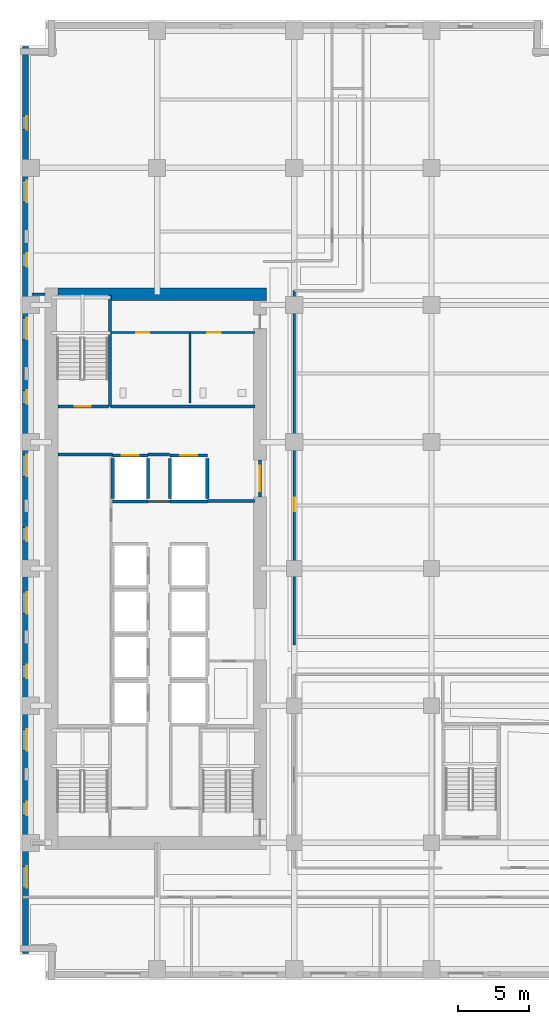
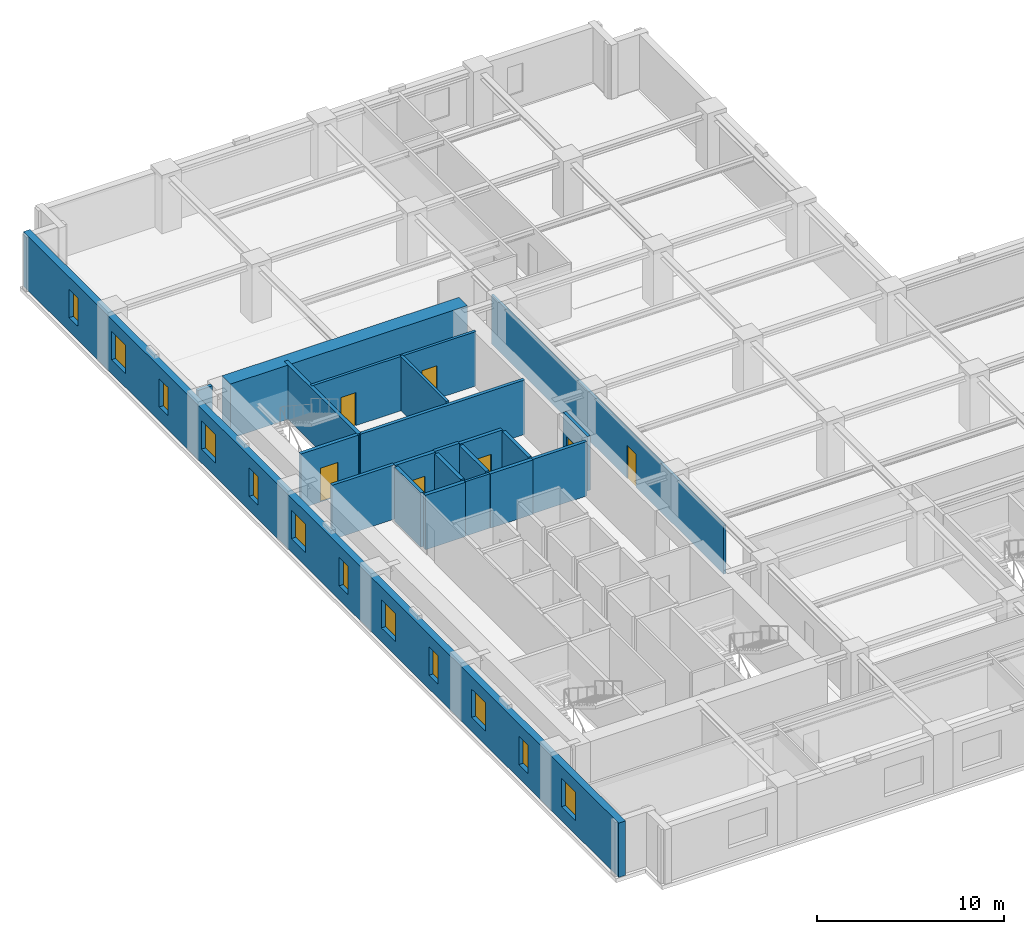
# One storey, part 6 of 13: 22 walls, 12 windows, 7 doors, 19 openings.
"""IFC4 building model written with IfcOpenShell, lengths in metres."""

from ifc_helpers import new_model, si_unit, direction, frame, frame_2d, origin, place, context, subcontext, project, spatial, rectangle, extrude, material, layer, layer_set, type_object, element, fill, save


model = new_model("IFC4")

# Units and contexts
model_context = context("Model", 3, precision=1e-05, world=origin(), true_north=direction((0.0, 1.0)))
body_context = subcontext(model_context, "Body", "Model", "MODEL_VIEW")
ifc_project = project(units=[si_unit("LENGTHUNIT", "METRE"), si_unit("AREAUNIT", "SQUARE_METRE"), si_unit("VOLUMEUNIT", "CUBIC_METRE"), si_unit("PLANEANGLEUNIT", "RADIAN"), si_unit("MASSUNIT", "GRAM", prefix="KILO")], contexts=[model_context])

# Site, building, storey
site_placement = place(None, origin())
site = spatial("IfcSite", under=ifc_project, at=site_placement, CompositionType="ELEMENT")
building_placement = place(site_placement, origin())
building = spatial("IfcBuilding", under=site, at=building_placement, Name="Norrvale University Quadrangle", CompositionType="ELEMENT")
storey_placement = place(building_placement, frame((0.0, 0.0, 43.199951171875)))
storey = spatial("IfcBuildingStorey", under=building, at=storey_placement, Name="L10", CompositionType="ELEMENT", Elevation=43.199951171875)

# Wall, openings, windows
ifc_material_1 = material(Name="Buff Norman Clay Brick Masonry", Category="masonry")
ifc_layer_1 = layer(ifc_material_1, 0.419921875, Name="Buff Norman Clay Brick Masonry")
ifc_layer_set_1 = layer_set([ifc_layer_1], Name="Buff Norman Clay Brick Masonry")
wall_type_1 = type_object("IfcWallType", Name="Wall Buff Brick 420", PredefinedType="SOLIDWALL", material=ifc_layer_set_1)
wall_1_placement = place(storey_placement, frame((0.389892578125, 65.360107421875, 0.0), z_axis=(0.0, 0.0, 1.0), x_axis=(0.0, -1.0, 0.0)))
wall_1 = element("IfcWall", 1, at=wall_1_placement, inside=storey, type_object=wall_type_1, Name="Exterior Brick Facade Wall L10-14.1", PredefinedType="SOLIDWALL", context=body_context, shape_type="SweptSolid", body=[
    extrude(rectangle(XDim=63.52001953125, YDim=0.419921875, at=frame_2d((31.760009765625, 0.0))), origin(), (0.0, 0.0, 1.0), 3.5400390625),
])
opening_1_placement = place(wall_1_placement, frame((4.885009765625, 0.0, 0.89990234375)))
opening_1 = element("IfcOpeningElement", 2, at=opening_1_placement, cuts=wall_1, Name="Opening W04", PredefinedType="OPENING", context=body_context, shape_type="SweptSolid", body=[
    extrude(rectangle(XDim=0.949951171875, YDim=1.85009765625, at=frame_2d((0.47509765625, 0.925048828125))), frame((0.0, 0.221923828125, 0.0), z_axis=(0.0, -1.0, 0.0), x_axis=(1.0, 0.0, 0.0)), (0.0, 0.0, 1.0), 0.44384765625),
])
opening_2_placement = place(wall_1_placement, frame((9.409912109375, 0.0, 0.89990234375)))
opening_2 = element("IfcOpeningElement", 3, at=opening_2_placement, cuts=wall_1, Name="Opening W03", PredefinedType="OPENING", context=body_context, shape_type="SweptSolid", body=[
    extrude(rectangle(XDim=1.5, YDim=1.85009765625, at=frame_2d((0.75, 0.925048828125))), frame((0.0, 0.221923828125, 0.0), z_axis=(0.0, -1.0, 0.0), x_axis=(1.0, 0.0, 0.0)), (0.0, 0.0, 1.0), 0.44384765625),
])
opening_3_placement = place(wall_1_placement, frame((14.485107421875, 0.0, 0.89990234375)))
opening_3 = element("IfcOpeningElement", 4, at=opening_3_placement, cuts=wall_1, Name="Opening W04", PredefinedType="OPENING", context=body_context, shape_type="SweptSolid", body=[
    extrude(rectangle(XDim=0.949951171875, YDim=1.85009765625, at=frame_2d((0.47509765625, 0.925048828125))), frame((0.0, 0.221923828125, 0.0), z_axis=(0.0, -1.0, 0.0), x_axis=(1.0, 0.0, 0.0)), (0.0, 0.0, 1.0), 0.44384765625),
])
opening_4_placement = place(wall_1_placement, frame((19.010009765625, 0.0, 0.89990234375)))
opening_4 = element("IfcOpeningElement", 5, at=opening_4_placement, cuts=wall_1, Name="Opening W03", PredefinedType="OPENING", context=body_context, shape_type="SweptSolid", body=[
    extrude(rectangle(XDim=1.5, YDim=1.85009765625, at=frame_2d((0.75, 0.925048828125))), frame((0.0, 0.221923828125, 0.0), z_axis=(0.0, -1.0, 0.0), x_axis=(1.0, 0.0, 0.0)), (0.0, 0.0, 1.0), 0.44384765625),
])
opening_5_placement = place(wall_1_placement, frame((24.0849609375, 0.0, 0.89990234375)))
opening_5 = element("IfcOpeningElement", 6, at=opening_5_placement, cuts=wall_1, Name="Opening W04", PredefinedType="OPENING", context=body_context, shape_type="SweptSolid", body=[
    extrude(rectangle(XDim=0.949951171875, YDim=1.85009765625, at=frame_2d((0.47509765625, 0.925048828125))), frame((0.0, 0.221923828125, 0.0), z_axis=(0.0, -1.0, 0.0), x_axis=(1.0, 0.0, 0.0)), (0.0, 0.0, 1.0), 0.44384765625),
])
opening_6_placement = place(wall_1_placement, frame((28.610107421875, 0.0, 0.89990234375)))
opening_6 = element("IfcOpeningElement", 7, at=opening_6_placement, cuts=wall_1, Name="Opening W03", PredefinedType="OPENING", context=body_context, shape_type="SweptSolid", body=[
    extrude(rectangle(XDim=1.5, YDim=1.85009765625, at=frame_2d((0.75, 0.925048828125))), frame((0.0, 0.221923828125, 0.0), z_axis=(0.0, -1.0, 0.0), x_axis=(1.0, 0.0, 0.0)), (0.0, 0.0, 1.0), 0.44384765625),
])
opening_7_placement = place(wall_1_placement, frame((33.68505859375, 0.0, 0.89990234375)))
opening_7 = element("IfcOpeningElement", 8, at=opening_7_placement, cuts=wall_1, Name="Opening W04", PredefinedType="OPENING", context=body_context, shape_type="SweptSolid", body=[
    extrude(rectangle(XDim=0.949951171875, YDim=1.85009765625, at=frame_2d((0.47509765625, 0.925048828125))), frame((0.0, 0.221923828125, 0.0), z_axis=(0.0, -1.0, 0.0), x_axis=(1.0, 0.0, 0.0)), (0.0, 0.0, 1.0), 0.44384765625),
])
opening_8_placement = place(wall_1_placement, frame((38.2099609375, 0.0, 0.89990234375)))
opening_8 = element("IfcOpeningElement", 9, at=opening_8_placement, cuts=wall_1, Name="Opening W03", PredefinedType="OPENING", context=body_context, shape_type="SweptSolid", body=[
    extrude(rectangle(XDim=1.5, YDim=1.85009765625, at=frame_2d((0.75, 0.925048828125))), frame((0.0, 0.221923828125, 0.0), z_axis=(0.0, -1.0, 0.0), x_axis=(1.0, 0.0, 0.0)), (0.0, 0.0, 1.0), 0.44384765625),
])
opening_9_placement = place(wall_1_placement, frame((43.284912109375, 0.0, 0.89990234375)))
opening_9 = element("IfcOpeningElement", 10, at=opening_9_placement, cuts=wall_1, Name="Opening W04", PredefinedType="OPENING", context=body_context, shape_type="SweptSolid", body=[
    extrude(rectangle(XDim=0.949951171875, YDim=1.85009765625, at=frame_2d((0.47509765625, 0.925048828125))), frame((0.0, 0.221923828125, 0.0), z_axis=(0.0, -1.0, 0.0), x_axis=(1.0, 0.0, 0.0)), (0.0, 0.0, 1.0), 0.44384765625),
])
opening_10_placement = place(wall_1_placement, frame((47.81005859375, 0.0, 0.89990234375)))
opening_10 = element("IfcOpeningElement", 11, at=opening_10_placement, cuts=wall_1, Name="Opening W03", PredefinedType="OPENING", context=body_context, shape_type="SweptSolid", body=[
    extrude(rectangle(XDim=1.5, YDim=1.85009765625, at=frame_2d((0.75, 0.925048828125))), frame((0.0, 0.221923828125, 0.0), z_axis=(0.0, -1.0, 0.0), x_axis=(1.0, 0.0, 0.0)), (0.0, 0.0, 1.0), 0.44384765625),
])
opening_11_placement = place(wall_1_placement, frame((52.885009765625, 0.0, 0.89990234375)))
opening_11 = element("IfcOpeningElement", 12, at=opening_11_placement, cuts=wall_1, Name="Opening W04", PredefinedType="OPENING", context=body_context, shape_type="SweptSolid", body=[
    extrude(rectangle(XDim=0.949951171875, YDim=1.85009765625, at=frame_2d((0.47509765625, 0.925048828125))), frame((0.0, 0.221923828125, 0.0), z_axis=(0.0, -1.0, 0.0), x_axis=(1.0, 0.0, 0.0)), (0.0, 0.0, 1.0), 0.44384765625),
])
opening_12_placement = place(wall_1_placement, frame((57.409912109375, 0.0, 0.89990234375)))
opening_12 = element("IfcOpeningElement", 13, at=opening_12_placement, cuts=wall_1, Name="Opening W03", PredefinedType="OPENING", context=body_context, shape_type="SweptSolid", body=[
    extrude(rectangle(XDim=1.5, YDim=1.85009765625, at=frame_2d((0.75, 0.925048828125))), frame((0.0, 0.221923828125, 0.0), z_axis=(0.0, -1.0, 0.0), x_axis=(1.0, 0.0, 0.0)), (0.0, 0.0, 1.0), 0.44384765625),
])
ifc_material_2 = material(Name="Triple Low-E Argon Glazing", Category="glass")
window_type_1 = type_object("IfcWindowType", Name="Window Narrow Pier 950x2300", PartitioningType="SINGLE_PANEL", PredefinedType="WINDOW", material=ifc_material_2)
window_1_placement = place(opening_1_placement, origin())
window_1 = element("IfcWindow", 14, at=window_1_placement, inside=storey, type_object=window_type_1, Name="Window Narrow Pier 950x2300 WIN-L10-E14-1-01", OverallHeight=1.85009765625, OverallWidth=0.949951171875, PartitioningType="SINGLE_PANEL", PredefinedType="WINDOW", context=body_context, shape_type="SweptSolid", body=[
    extrude(rectangle(XDim=0.949951171875, YDim=1.85009765625, at=frame_2d((0.47509765625, 0.925048828125))), frame((0.0, 0.110107421875, 0.0), z_axis=(0.0, -1.0, 0.0), x_axis=(1.0, 0.0, 0.0)), (0.0, 0.0, 1.0), 0.06005859375),
])
fill(opening_1, window_1)
window_2_placement = place(opening_3_placement, origin())
window_2 = element("IfcWindow", 15, at=window_2_placement, inside=storey, type_object=window_type_1, Name="Window Narrow Pier 950x2300 WIN-L10-E14-1-03", OverallHeight=1.85009765625, OverallWidth=0.949951171875, PartitioningType="SINGLE_PANEL", PredefinedType="WINDOW", context=body_context, shape_type="SweptSolid", body=[
    extrude(rectangle(XDim=0.949951171875, YDim=1.85009765625, at=frame_2d((0.47509765625, 0.925048828125))), frame((0.0, 0.110107421875, 0.0), z_axis=(0.0, -1.0, 0.0), x_axis=(1.0, 0.0, 0.0)), (0.0, 0.0, 1.0), 0.06005859375),
])
fill(opening_3, window_2)
window_3_placement = place(opening_5_placement, origin())
window_3 = element("IfcWindow", 16, at=window_3_placement, inside=storey, type_object=window_type_1, Name="Window Narrow Pier 950x2300 WIN-L10-E14-1-05", OverallHeight=1.85009765625, OverallWidth=0.949951171875, PartitioningType="SINGLE_PANEL", PredefinedType="WINDOW", context=body_context, shape_type="SweptSolid", body=[
    extrude(rectangle(XDim=0.949951171875, YDim=1.85009765625, at=frame_2d((0.47509765625, 0.925048828125))), frame((0.0, 0.110107421875, 0.0), z_axis=(0.0, -1.0, 0.0), x_axis=(1.0, 0.0, 0.0)), (0.0, 0.0, 1.0), 0.06005859375),
])
fill(opening_5, window_3)
window_4_placement = place(opening_7_placement, origin())
window_4 = element("IfcWindow", 17, at=window_4_placement, inside=storey, type_object=window_type_1, Name="Window Narrow Pier 950x2300 WIN-L10-E14-1-07", OverallHeight=1.85009765625, OverallWidth=0.949951171875, PartitioningType="SINGLE_PANEL", PredefinedType="WINDOW", context=body_context, shape_type="SweptSolid", body=[
    extrude(rectangle(XDim=0.949951171875, YDim=1.85009765625, at=frame_2d((0.47509765625, 0.925048828125))), frame((0.0, 0.110107421875, 0.0), z_axis=(0.0, -1.0, 0.0), x_axis=(1.0, 0.0, 0.0)), (0.0, 0.0, 1.0), 0.06005859375),
])
fill(opening_7, window_4)
window_5_placement = place(opening_9_placement, origin())
window_5 = element("IfcWindow", 18, at=window_5_placement, inside=storey, type_object=window_type_1, Name="Window Narrow Pier 950x2300 WIN-L10-E14-1-09", OverallHeight=1.85009765625, OverallWidth=0.949951171875, PartitioningType="SINGLE_PANEL", PredefinedType="WINDOW", context=body_context, shape_type="SweptSolid", body=[
    extrude(rectangle(XDim=0.949951171875, YDim=1.85009765625, at=frame_2d((0.47509765625, 0.925048828125))), frame((0.0, 0.110107421875, 0.0), z_axis=(0.0, -1.0, 0.0), x_axis=(1.0, 0.0, 0.0)), (0.0, 0.0, 1.0), 0.06005859375),
])
fill(opening_9, window_5)
window_6_placement = place(opening_11_placement, origin())
window_6 = element("IfcWindow", 19, at=window_6_placement, inside=storey, type_object=window_type_1, Name="Window Narrow Pier 950x2300 WIN-L10-E14-1-11", OverallHeight=1.85009765625, OverallWidth=0.949951171875, PartitioningType="SINGLE_PANEL", PredefinedType="WINDOW", context=body_context, shape_type="SweptSolid", body=[
    extrude(rectangle(XDim=0.949951171875, YDim=1.85009765625, at=frame_2d((0.47509765625, 0.925048828125))), frame((0.0, 0.110107421875, 0.0), z_axis=(0.0, -1.0, 0.0), x_axis=(1.0, 0.0, 0.0)), (0.0, 0.0, 1.0), 0.06005859375),
])
fill(opening_11, window_6)
window_type_2 = type_object("IfcWindowType", Name="Window Studio 1500x2300", PartitioningType="DOUBLE_PANEL_VERTICAL", PredefinedType="WINDOW", material=ifc_material_2)
window_7_placement = place(opening_2_placement, origin())
window_7 = element("IfcWindow", 20, at=window_7_placement, inside=storey, type_object=window_type_2, Name="Window Studio 1500x2300 WIN-L10-E14-1-02", OverallHeight=1.85009765625, OverallWidth=1.5, PartitioningType="DOUBLE_PANEL_VERTICAL", PredefinedType="WINDOW", context=body_context, shape_type="SweptSolid", body=[
    extrude(rectangle(XDim=1.5, YDim=1.85009765625, at=frame_2d((0.75, 0.925048828125))), frame((0.0, 0.110107421875, 0.0), z_axis=(0.0, -1.0, 0.0), x_axis=(1.0, 0.0, 0.0)), (0.0, 0.0, 1.0), 0.06005859375),
])
fill(opening_2, window_7)
window_8_placement = place(opening_4_placement, origin())
window_8 = element("IfcWindow", 21, at=window_8_placement, inside=storey, type_object=window_type_2, Name="Window Studio 1500x2300 WIN-L10-E14-1-04", OverallHeight=1.85009765625, OverallWidth=1.5, PartitioningType="DOUBLE_PANEL_VERTICAL", PredefinedType="WINDOW", context=body_context, shape_type="SweptSolid", body=[
    extrude(rectangle(XDim=1.5, YDim=1.85009765625, at=frame_2d((0.75, 0.925048828125))), frame((0.0, 0.110107421875, 0.0), z_axis=(0.0, -1.0, 0.0), x_axis=(1.0, 0.0, 0.0)), (0.0, 0.0, 1.0), 0.06005859375),
])
fill(opening_4, window_8)
window_9_placement = place(opening_6_placement, origin())
window_9 = element("IfcWindow", 22, at=window_9_placement, inside=storey, type_object=window_type_2, Name="Window Studio 1500x2300 WIN-L10-E14-1-06", OverallHeight=1.85009765625, OverallWidth=1.5, PartitioningType="DOUBLE_PANEL_VERTICAL", PredefinedType="WINDOW", context=body_context, shape_type="SweptSolid", body=[
    extrude(rectangle(XDim=1.5, YDim=1.85009765625, at=frame_2d((0.75, 0.925048828125))), frame((0.0, 0.110107421875, 0.0), z_axis=(0.0, -1.0, 0.0), x_axis=(1.0, 0.0, 0.0)), (0.0, 0.0, 1.0), 0.06005859375),
])
fill(opening_6, window_9)
window_10_placement = place(opening_8_placement, origin())
window_10 = element("IfcWindow", 23, at=window_10_placement, inside=storey, type_object=window_type_2, Name="Window Studio 1500x2300 WIN-L10-E14-1-08", OverallHeight=1.85009765625, OverallWidth=1.5, PartitioningType="DOUBLE_PANEL_VERTICAL", PredefinedType="WINDOW", context=body_context, shape_type="SweptSolid", body=[
    extrude(rectangle(XDim=1.5, YDim=1.85009765625, at=frame_2d((0.75, 0.925048828125))), frame((0.0, 0.110107421875, 0.0), z_axis=(0.0, -1.0, 0.0), x_axis=(1.0, 0.0, 0.0)), (0.0, 0.0, 1.0), 0.06005859375),
])
fill(opening_8, window_10)
window_11_placement = place(opening_10_placement, origin())
window_11 = element("IfcWindow", 24, at=window_11_placement, inside=storey, type_object=window_type_2, Name="Window Studio 1500x2300 WIN-L10-E14-1-10", OverallHeight=1.85009765625, OverallWidth=1.5, PartitioningType="DOUBLE_PANEL_VERTICAL", PredefinedType="WINDOW", context=body_context, shape_type="SweptSolid", body=[
    extrude(rectangle(XDim=1.5, YDim=1.85009765625, at=frame_2d((0.75, 0.925048828125))), frame((0.0, 0.110107421875, 0.0), z_axis=(0.0, -1.0, 0.0), x_axis=(1.0, 0.0, 0.0)), (0.0, 0.0, 1.0), 0.06005859375),
])
fill(opening_10, window_11)
window_12_placement = place(opening_12_placement, origin())
window_12 = element("IfcWindow", 25, at=window_12_placement, inside=storey, type_object=window_type_2, Name="Window Studio 1500x2300 WIN-L10-E14-1-12", OverallHeight=1.85009765625, OverallWidth=1.5, PartitioningType="DOUBLE_PANEL_VERTICAL", PredefinedType="WINDOW", context=body_context, shape_type="SweptSolid", body=[
    extrude(rectangle(XDim=1.5, YDim=1.85009765625, at=frame_2d((0.75, 0.925048828125))), frame((0.0, 0.110107421875, 0.0), z_axis=(0.0, -1.0, 0.0), x_axis=(1.0, 0.0, 0.0)), (0.0, 0.0, 1.0), 0.06005859375),
])
fill(opening_12, window_12)

# Walls
ifc_material_3 = material(Name="Concrete C80/95", Category="concrete")
ifc_layer_2 = layer(ifc_material_3, 0.89990234375, Name="Concrete C80/95")
ifc_layer_set_2 = layer_set([ifc_layer_2], Name="Concrete C80/95")
wall_type_2 = type_object("IfcWallType", Name="Wall Core 900", PredefinedType="SHEAR", material=ifc_layer_set_2)
wall_2_placement = place(storey_placement, frame((2.64990234375, 48.0, 0.0), z_axis=(0.0, 0.0, 1.0), x_axis=(1.0, 0.0, 0.0)))
element("IfcWall", 26, at=wall_2_placement, inside=storey, type_object=wall_type_2, Name="Tower Core Shear Wall L10-N", PredefinedType="SHEAR", context=body_context, shape_type="SweptSolid", body=[
    extrude(rectangle(XDim=14.60009765625, YDim=0.89990234375, at=frame_2d((7.300048828125, 0.0))), origin(), (0.0, 0.0, 1.0), 3.5400390625),
])
ifc_material_4 = material(Name="Fire-Rated Gypsum Stud Partition")
ifc_layer_3 = layer(ifc_material_4, 0.14990234375, Name="Fire-Rated Gypsum Stud Partition")
ifc_layer_set_3 = layer_set([ifc_layer_3], Name="Fire-Rated Gypsum Stud Partition")
wall_type_3 = type_object("IfcWallType", Name="Wall Gypsum Corridor 150", PredefinedType="PARTITIONING", material=ifc_layer_set_3)
wall_3_placement = place(storey_placement, frame((8.965087890625, 33.489990234375, 0.0), z_axis=(0.0, 0.0, 1.0), x_axis=(1.0, 0.0, 0.0)))
element("IfcWall", 27, at=wall_3_placement, inside=storey, type_object=wall_type_3, Name="Interior Partition WL-L10-LL3", PredefinedType="PARTITIONING", context=body_context, shape_type="SweptSolid", body=[
    extrude(rectangle(XDim=1.52001953125, YDim=0.14990234375, at=frame_2d((0.760009765625, 0.0))), origin(), (0.0, 0.0, 1.0), 3.5400390625),
])

# Wall, opening, door
wall_4_placement = place(storey_placement, frame((19.199951171875, 23.449951171875, 0.0), z_axis=(0.0, 0.0, 1.0), x_axis=(0.0, 1.0, 0.0)))
wall_4 = element("IfcWall", 28, at=wall_4_placement, inside=storey, type_object=wall_type_3, Name="Interior Partition WL-L10-MNECW", PredefinedType="PARTITIONING", context=body_context, shape_type="SweptSolid", body=[
    extrude(rectangle(XDim=24.800048828125, YDim=0.14990234375, at=frame_2d((12.39990234375, 0.0))), origin(), (0.0, 0.0, 1.0), 3.18408203125),
])
opening_13_placement = place(wall_4_placement, frame((9.35009765625, 0.0, 0.0)))
opening_13 = element("IfcOpeningElement", 29, at=opening_13_placement, cuts=wall_4, Name="Opening D07", PredefinedType="OPENING", context=body_context, shape_type="SweptSolid", body=[
    extrude(rectangle(XDim=0.949951171875, YDim=2.14990234375, at=frame_2d((0.47509765625, 1.074951171875))), frame((0.0, 0.0869140625, 0.0), z_axis=(0.0, -1.0, 0.0), x_axis=(1.0, 0.0, 0.0)), (0.0, 0.0, 1.0), 0.173828125),
])
ifc_material_5 = material(Name="Solid-Core Maple Door", Category="wood")
door_type_1 = type_object("IfcDoorType", Name="Door Office 950x2150", OperationType="NOTDEFINED", PredefinedType="DOOR", material=ifc_material_5)
door_1_placement = place(opening_13_placement, origin())
door_1 = element("IfcDoor", 30, at=door_1_placement, inside=storey, type_object=door_type_1, Name="Door Office 950x2150 DR-L10-MNE01", OperationType="SINGLE_SWING_RIGHT", OverallHeight=2.14990234375, OverallWidth=0.949951171875, PredefinedType="DOOR", context=body_context, shape_type="SweptSolid", body=[
    extrude(rectangle(XDim=0.949951171875, YDim=2.14990234375, at=frame_2d((0.47509765625, 1.074951171875))), frame((0.0, 0.02490234375, 0.0), z_axis=(0.0, -1.0, 0.0), x_axis=(1.0, 0.0, 0.0)), (0.0, 0.0, 1.0), 0.050048828125),
])
fill(opening_13, door_1)

# Wall, openings, doors
ifc_material_6 = material(Name="Sanitary Chase Gypsum Partition")
ifc_layer_4 = layer(ifc_material_6, 0.1650390625, Name="Sanitary Chase Gypsum Partition")
ifc_layer_set_4 = layer_set([ifc_layer_4], Name="Sanitary Chase Gypsum Partition")
wall_type_4 = type_object("IfcWallType", Name="Wall Gypsum Sanitary 165", PredefinedType="PLUMBINGWALL", material=ifc_layer_set_4)
wall_5_placement = place(storey_placement, frame((6.320068359375, 45.320068359375, 0.0), z_axis=(0.0, 0.0, 1.0), x_axis=(1.0, 0.0, 0.0)))
wall_5 = element("IfcWall", 31, at=wall_5_placement, inside=storey, type_object=wall_type_4, Name="Interior Partition WL-L10-WCN", PredefinedType="PLUMBINGWALL", context=body_context, shape_type="SweptSolid", body=[
    extrude(rectangle(XDim=10.1298828125, YDim=0.1650390625, at=frame_2d((5.06494140625, 0.0))), origin(), (0.0, 0.0, 1.0), 3.5400390625),
])
opening_14_placement = place(wall_5_placement, frame((1.800048828125, 0.0, 0.0)))
opening_14 = element("IfcOpeningElement", 32, at=opening_14_placement, cuts=wall_5, Name="Opening D08", PredefinedType="OPENING", context=body_context, shape_type="SweptSolid", body=[
    extrude(rectangle(XDim=0.919921875, YDim=2.14990234375, at=frame_2d((0.4599609375, 1.074951171875))), frame((0.0, 0.094482421875, 0.0), z_axis=(0.0, -1.0, 0.0), x_axis=(1.0, 0.0, 0.0)), (0.0, 0.0, 1.0), 0.18896484375),
])
opening_15_placement = place(wall_5_placement, frame((6.800048828125, 0.0, 0.0)))
opening_15 = element("IfcOpeningElement", 33, at=opening_15_placement, cuts=wall_5, Name="Opening D08", PredefinedType="OPENING", context=body_context, shape_type="SweptSolid", body=[
    extrude(rectangle(XDim=0.919921875, YDim=2.14990234375, at=frame_2d((0.4599609375, 1.074951171875))), frame((0.0, 0.094482421875, 0.0), z_axis=(0.0, -1.0, 0.0), x_axis=(1.0, 0.0, 0.0)), (0.0, 0.0, 1.0), 0.18896484375),
])
ifc_material_7 = material(Name="Laminate Washroom Door", Category="wood")
door_type_2 = type_object("IfcDoorType", Name="Door Washroom 920x2150", OperationType="NOTDEFINED", PredefinedType="DOOR", material=ifc_material_7)
door_2_placement = place(opening_14_placement, origin())
door_2 = element("IfcDoor", 34, at=door_2_placement, inside=storey, type_object=door_type_2, Name="Door Washroom 920x2150 DR-L10-WC1", OperationType="SINGLE_SWING_LEFT", OverallHeight=2.14990234375, OverallWidth=0.919921875, PredefinedType="DOOR", context=body_context, shape_type="SweptSolid", body=[
    extrude(rectangle(XDim=0.919921875, YDim=2.14990234375, at=frame_2d((0.4599609375, 1.074951171875))), frame((0.0, 0.02490234375, 0.0), z_axis=(0.0, -1.0, 0.0), x_axis=(1.0, 0.0, 0.0)), (0.0, 0.0, 1.0), 0.050048828125),
])
fill(opening_14, door_2)
door_3_placement = place(opening_15_placement, origin())
door_3 = element("IfcDoor", 35, at=door_3_placement, inside=storey, type_object=door_type_2, Name="Door Washroom 920x2150 DR-L10-WC2", OperationType="SINGLE_SWING_RIGHT", OverallHeight=2.14990234375, OverallWidth=0.919921875, PredefinedType="DOOR", context=body_context, shape_type="SweptSolid", body=[
    extrude(rectangle(XDim=0.919921875, YDim=2.14990234375, at=frame_2d((0.4599609375, 1.074951171875))), frame((0.0, 0.02490234375, 0.0), z_axis=(0.0, -1.0, 0.0), x_axis=(1.0, 0.0, 0.0)), (0.0, 0.0, 1.0), 0.050048828125),
])
fill(opening_15, door_3)

# Walls
wall_6_placement = place(storey_placement, frame((11.89990234375, 40.39990234375, 0.0), z_axis=(0.0, 0.0, 1.0), x_axis=(0.0, 1.0, 0.0)))
element("IfcWall", 36, at=wall_6_placement, inside=storey, type_object=wall_type_4, Name="Interior Partition WL-L10-WCM1", PredefinedType="PLUMBINGWALL", context=body_context, shape_type="SweptSolid", body=[
    extrude(rectangle(XDim=4.920166015625, YDim=0.1650390625, at=frame_2d((2.4599609375, 0.0))), origin(), (0.0, 0.0, 1.0), 3.5400390625),
])
ifc_material_8 = material(Name="Concrete Blockwork 20 MPa Rated Wall", Category="masonry")
ifc_layer_5 = layer(ifc_material_8, 0.199951171875, Name="Concrete Blockwork 20 MPa Rated Wall")
ifc_layer_set_5 = layer_set([ifc_layer_5], Name="Concrete Blockwork 20 MPa Rated Wall")
wall_type_5 = type_object("IfcWallType", Name="Wall Lobby 200", PredefinedType="SOLIDWALL", material=ifc_layer_set_5)
wall_7_placement = place(storey_placement, frame((2.64990234375, 36.780029296875, 0.0), z_axis=(0.0, 0.0, 1.0), x_axis=(1.0, 0.0, 0.0)))
element("IfcWall", 37, at=wall_7_placement, inside=storey, type_object=wall_type_5, Name="Interior Partition WL-L10-FF1", PredefinedType="SOLIDWALL", context=body_context, shape_type="SweptSolid", body=[
    extrude(rectangle(XDim=3.830078125, YDim=0.199951171875, at=frame_2d((1.9150390625, 0.0))), origin(), (0.0, 0.0, 1.0), 3.5400390625),
])
wall_8_placement = place(storey_placement, frame((8.969970703125, 36.780029296875, 0.0), z_axis=(0.0, 0.0, 1.0), x_axis=(1.0, 0.0, 0.0)))
element("IfcWall", 38, at=wall_8_placement, inside=storey, type_object=wall_type_5, Name="Interior Partition WL-L10-FF2", PredefinedType="SOLIDWALL", context=body_context, shape_type="SweptSolid", body=[
    extrude(rectangle(XDim=1.510009765625, YDim=0.199951171875, at=frame_2d((0.7548828125, 0.0))), origin(), (0.0, 0.0, 1.0), 3.5400390625),
])
wall_9_placement = place(storey_placement, frame((13.1201171875, 33.52001953125, 0.0), z_axis=(0.0, 0.0, 1.0), x_axis=(1.0, 0.0, 0.0)))
element("IfcWall", 39, at=wall_9_placement, inside=storey, type_object=wall_type_5, Name="Interior Partition WL-L10-FF3", PredefinedType="SOLIDWALL", context=body_context, shape_type="SweptSolid", body=[
    extrude(rectangle(XDim=3.329833984375, YDim=0.199951171875, at=frame_2d((1.6650390625, 0.0))), origin(), (0.0, 0.0, 1.0), 3.5400390625),
])
wall_10_placement = place(storey_placement, frame((6.320068359375, 40.139892578125, 0.0), z_axis=(0.0, 0.0, 1.0), x_axis=(1.0, 0.0, 0.0)))
element("IfcWall", 40, at=wall_10_placement, inside=storey, type_object=wall_type_5, Name="Interior Partition WL-L10-FF4", PredefinedType="SOLIDWALL", context=body_context, shape_type="SweptSolid", body=[
    extrude(rectangle(XDim=10.1298828125, YDim=0.199951171875, at=frame_2d((5.06494140625, 0.0))), origin(), (0.0, 0.0, 1.0), 3.5400390625),
])

# Wall, opening, door
wall_11_placement = place(storey_placement, frame((16.800048828125, 33.800048828125, 0.0), z_axis=(0.0, 0.0, 1.0), x_axis=(0.0, 1.0, 0.0)))
wall_11 = element("IfcWall", 41, at=wall_11_placement, inside=storey, type_object=wall_type_5, Name="Interior Partition WL-L10-FFP", PredefinedType="SOLIDWALL", context=body_context, shape_type="SweptSolid", body=[
    extrude(rectangle(XDim=2.599853515625, YDim=0.199951171875, at=frame_2d((1.2998046875, 0.0))), origin(), (0.0, 0.0, 1.0), 3.5400390625),
])
opening_16_placement = place(wall_11_placement, frame((0.39990234375, 0.0, 0.0)))
opening_16 = element("IfcOpeningElement", 42, at=opening_16_placement, cuts=wall_11, Name="Opening D03", PredefinedType="OPENING", context=body_context, shape_type="SweptSolid", body=[
    extrude(rectangle(XDim=1.800048828125, YDim=2.199951171875, at=frame_2d((0.89990234375, 1.10009765625))), frame((0.0, 0.112060546875, 0.0), z_axis=(0.0, -1.0, 0.0), x_axis=(1.0, 0.0, 0.0)), (0.0, 0.0, 1.0), 0.223876953125),
])
ifc_material_9 = material(Name="Hollow Steel 350W Fire Door", Category="steel")
door_type_3 = type_object("IfcDoorType", Name="Door Fire Lobby 1800x2200", OperationType="DOUBLE_DOOR_SINGLE_SWING", PredefinedType="DOOR", material=ifc_material_9)
door_4_placement = place(opening_16_placement, origin())
door_4 = element("IfcDoor", 43, at=door_4_placement, inside=storey, type_object=door_type_3, Name="Door Fire Lobby 1800x2200 DR-L10-FFP", OperationType="DOUBLE_DOOR_SINGLE_SWING", OverallHeight=2.199951171875, OverallWidth=1.800048828125, PredefinedType="DOOR", context=body_context, shape_type="SweptSolid", body=[
    extrude(rectangle(XDim=1.800048828125, YDim=2.199951171875, at=frame_2d((0.89990234375, 1.10009765625))), frame((0.0, 0.02490234375, 0.0), z_axis=(0.0, -1.0, 0.0), x_axis=(1.0, 0.0, 0.0)), (0.0, 0.0, 1.0), 0.050048828125),
])
fill(opening_16, door_4)

# Wall
wall_12_placement = place(storey_placement, frame((0.85009765625, 48.0, 0.0), z_axis=(0.0, 0.0, 1.0), x_axis=(1.0, 0.0, 0.0)))
element("IfcWall", 44, at=wall_12_placement, inside=storey, type_object=wall_type_5, Name="Interior Partition WL-L10-CWRET-N", PredefinedType="SOLIDWALL", context=body_context, shape_type="SweptSolid", body=[
    extrude(rectangle(XDim=0.89501953125, YDim=0.199951171875, at=frame_2d((0.447509765625, 0.0))), origin(), (0.0, 0.0, 1.0), 3.5400390625),
])

# Wall, opening, door
ifc_material_10 = material(Name="Concrete Blockwork 20 MPa Fire Shaft", Category="masonry")
ifc_layer_6 = layer(ifc_material_10, 0.219970703125, Name="Concrete Blockwork 20 MPa Fire Shaft")
ifc_layer_set_6 = layer_set([ifc_layer_6], Name="Concrete Blockwork 20 MPa Fire Shaft")
wall_type_6 = type_object("IfcWallType", Name="Wall Shaft 220", PredefinedType="SOLIDWALL", material=ifc_layer_set_6)
wall_13_placement = place(storey_placement, frame((2.64990234375, 40.139892578125, 0.0), z_axis=(0.0, 0.0, 1.0), x_axis=(1.0, 0.0, 0.0)))
wall_13 = element("IfcWall", 45, at=wall_13_placement, inside=storey, type_object=wall_type_6, Name="Stair ST-02 South Shaft Wall L10", PredefinedType="SOLIDWALL", context=body_context, shape_type="SweptSolid", body=[
    extrude(rectangle(XDim=3.550048828125, YDim=0.219970703125, at=frame_2d((1.77490234375, 0.0))), origin(), (0.0, 0.0, 1.0), 3.5400390625),
])
opening_17_placement = place(wall_13_placement, frame((1.199951171875, 0.0, 0.0)))
opening_17 = element("IfcOpeningElement", 46, at=opening_17_placement, cuts=wall_13, Name="Opening D02", PredefinedType="OPENING", context=body_context, shape_type="SweptSolid", body=[
    extrude(rectangle(XDim=1.10009765625, YDim=2.199951171875, at=frame_2d((0.550048828125, 1.10009765625))), frame((0.0, 0.1220703125, 0.0), z_axis=(0.0, -1.0, 0.0), x_axis=(1.0, 0.0, 0.0)), (0.0, 0.0, 1.0), 0.243896484375),
])
door_type_4 = type_object("IfcDoorType", Name="Door Stair Exit 1100x2200", OperationType="NOTDEFINED", PredefinedType="DOOR", material=ifc_material_9)
door_5_placement = place(opening_17_placement, origin())
door_5 = element("IfcDoor", 47, at=door_5_placement, inside=storey, type_object=door_type_4, Name="Door Stair Exit 1100x2200 DR-L10-ST02", OperationType="SINGLE_SWING_LEFT", OverallHeight=2.199951171875, OverallWidth=1.10009765625, PredefinedType="DOOR", context=body_context, shape_type="SweptSolid", body=[
    extrude(rectangle(XDim=1.10009765625, YDim=2.199951171875, at=frame_2d((0.550048828125, 1.10009765625))), frame((0.0, 0.02490234375, 0.0), z_axis=(0.0, -1.0, 0.0), x_axis=(1.0, 0.0, 0.0)), (0.0, 0.0, 1.0), 0.050048828125),
])
fill(opening_17, door_5)

# Walls
wall_14_placement = place(storey_placement, frame((6.31005859375, 40.139892578125, 0.0), z_axis=(0.0, 0.0, 1.0), x_axis=(0.0, 1.0, 0.0)))
element("IfcWall", 48, at=wall_14_placement, inside=storey, type_object=wall_type_6, Name="Stair ST-02 East Shaft Wall L10", PredefinedType="SOLIDWALL", context=body_context, shape_type="SweptSolid", body=[
    extrude(rectangle(XDim=7.81005859375, YDim=0.219970703125, at=frame_2d((3.905029296875, 0.0))), origin(), (0.0, 0.0, 1.0), 3.5400390625),
])
for number, where, z_axis, x_axis, name in (
    (49, (6.489990234375, 33.7099609375, 0.0), (0.0, 0.0, 1.0), (0.0, 1.0, 0.0), "Hoistway FFL-01 West Wall L10"),
    (50, (8.9599609375, 33.7099609375, 0.0), (0.0, 0.0, 1.0), (0.0, 1.0, 0.0), "Hoistway FFL-01 East Wall L10"),
):
    element("IfcWall", number, at=place(storey_placement, frame(where, z_axis=z_axis, x_axis=x_axis)), inside=storey, type_object=wall_type_6, Name=name, PredefinedType="SOLIDWALL", context=body_context, shape_type="SweptSolid", body=[
        extrude(rectangle(XDim=2.780029296875, YDim=0.219970703125, at=frame_2d((1.39013671875, 0.0))), origin(), (0.0, 0.0, 1.0), 3.5400390625),
    ])
wall_15_placement = place(storey_placement, frame((6.489990234375, 33.489990234375, 0.0), z_axis=(0.0, 0.0, 1.0), x_axis=(1.0, 0.0, 0.0)))
element("IfcWall", 51, at=wall_15_placement, inside=storey, type_object=wall_type_6, Name="Hoistway FFL-01 South Wall L10", PredefinedType="SOLIDWALL", context=body_context, shape_type="SweptSolid", body=[
    extrude(rectangle(XDim=2.469970703125, YDim=0.219970703125, at=frame_2d((1.23486328125, 0.0))), origin(), (0.0, 0.0, 1.0), 3.5400390625),
])

# Wall, opening, door
wall_16_placement = place(storey_placement, frame((6.489990234375, 36.7099609375, 0.0), z_axis=(0.0, 0.0, 1.0), x_axis=(1.0, 0.0, 0.0)))
wall_16 = element("IfcWall", 52, at=wall_16_placement, inside=storey, type_object=wall_type_6, Name="Hoistway FFL-01 North Wall L10", PredefinedType="SOLIDWALL", context=body_context, shape_type="SweptSolid", body=[
    extrude(rectangle(XDim=2.469970703125, YDim=0.219970703125, at=frame_2d((1.23486328125, 0.0))), origin(), (0.0, 0.0, 1.0), 3.5400390625),
])
opening_18_placement = place(wall_16_placement, frame((0.635009765625, 0.0, 0.0)))
opening_18 = element("IfcOpeningElement", 53, at=opening_18_placement, cuts=wall_16, Name="Opening LD2", PredefinedType="OPENING", context=body_context, shape_type="SweptSolid", body=[
    extrude(rectangle(XDim=1.199951171875, YDim=2.199951171875, at=frame_2d((0.60009765625, 1.10009765625))), frame((0.0, 0.1220703125, 0.0), z_axis=(0.0, -1.0, 0.0), x_axis=(1.0, 0.0, 0.0)), (0.0, 0.0, 1.0), 0.243896484375),
])
ifc_material_11 = material(Name="Stainless Steel 316L Firefighter Lift Door", Category="steel")
door_type_5 = type_object("IfcDoorType", Name="Door Fire Lift 1200x2200", OperationType="DOUBLE_DOOR_SLIDING", PredefinedType="DOOR", material=ifc_material_11)
door_6_placement = place(opening_18_placement, origin())
door_6 = element("IfcDoor", 54, at=door_6_placement, inside=storey, type_object=door_type_5, Name="Elevator Landing Door DR-L10-FFL-01", OperationType="DOUBLE_DOOR_SLIDING", OverallHeight=2.199951171875, OverallWidth=1.199951171875, PredefinedType="DOOR", context=body_context, shape_type="SweptSolid", body=[
    extrude(rectangle(XDim=1.199951171875, YDim=2.199951171875, at=frame_2d((0.60009765625, 1.10009765625))), frame((0.0, 0.02490234375, 0.0), z_axis=(0.0, -1.0, 0.0), x_axis=(1.0, 0.0, 0.0)), (0.0, 0.0, 1.0), 0.050048828125),
])
fill(opening_18, door_6)

# Walls
for number, where, z_axis, x_axis, name in (
    (55, (10.489990234375, 33.7099609375, 0.0), (0.0, 0.0, 1.0), (0.0, 1.0, 0.0), "Hoistway FFL-02 West Wall L10"),
    (56, (13.110107421875, 33.7099609375, 0.0), (0.0, 0.0, 1.0), (0.0, 1.0, 0.0), "Hoistway FFL-02 East Wall L10"),
):
    element("IfcWall", number, at=place(storey_placement, frame(where, z_axis=z_axis, x_axis=x_axis)), inside=storey, type_object=wall_type_6, Name=name, PredefinedType="SOLIDWALL", context=body_context, shape_type="SweptSolid", body=[
        extrude(rectangle(XDim=2.780029296875, YDim=0.219970703125, at=frame_2d((1.39013671875, 0.0))), origin(), (0.0, 0.0, 1.0), 3.5400390625),
    ])
wall_17_placement = place(storey_placement, frame((10.489990234375, 33.489990234375, 0.0), z_axis=(0.0, 0.0, 1.0), x_axis=(1.0, 0.0, 0.0)))
element("IfcWall", 57, at=wall_17_placement, inside=storey, type_object=wall_type_6, Name="Hoistway FFL-02 South Wall L10", PredefinedType="SOLIDWALL", context=body_context, shape_type="SweptSolid", body=[
    extrude(rectangle(XDim=2.6201171875, YDim=0.219970703125, at=frame_2d((1.31005859375, 0.0))), origin(), (0.0, 0.0, 1.0), 3.5400390625),
])

# Wall, opening, door
wall_18_placement = place(storey_placement, frame((10.489990234375, 36.7099609375, 0.0), z_axis=(0.0, 0.0, 1.0), x_axis=(1.0, 0.0, 0.0)))
wall_18 = element("IfcWall", 58, at=wall_18_placement, inside=storey, type_object=wall_type_6, Name="Hoistway FFL-02 North Wall L10", PredefinedType="SOLIDWALL", context=body_context, shape_type="SweptSolid", body=[
    extrude(rectangle(XDim=2.6201171875, YDim=0.219970703125, at=frame_2d((1.31005859375, 0.0))), origin(), (0.0, 0.0, 1.0), 3.5400390625),
])
opening_19_placement = place(wall_18_placement, frame((0.7099609375, 0.0, 0.0)))
opening_19 = element("IfcOpeningElement", 59, at=opening_19_placement, cuts=wall_18, Name="Opening LD2", PredefinedType="OPENING", context=body_context, shape_type="SweptSolid", body=[
    extrude(rectangle(XDim=1.199951171875, YDim=2.199951171875, at=frame_2d((0.60009765625, 1.10009765625))), frame((0.0, 0.1220703125, 0.0), z_axis=(0.0, -1.0, 0.0), x_axis=(1.0, 0.0, 0.0)), (0.0, 0.0, 1.0), 0.243896484375),
])
door_7_placement = place(opening_19_placement, origin())
door_7 = element("IfcDoor", 60, at=door_7_placement, inside=storey, type_object=door_type_5, Name="Elevator Landing Door DR-L10-FFL-02", OperationType="DOUBLE_DOOR_SLIDING", OverallHeight=2.199951171875, OverallWidth=1.199951171875, PredefinedType="DOOR", context=body_context, shape_type="SweptSolid", body=[
    extrude(rectangle(XDim=1.199951171875, YDim=2.199951171875, at=frame_2d((0.60009765625, 1.10009765625))), frame((0.0, 0.02490234375, 0.0), z_axis=(0.0, -1.0, 0.0), x_axis=(1.0, 0.0, 0.0)), (0.0, 0.0, 1.0), 0.050048828125),
])
fill(opening_19, door_7)

save(model, "model.ifc")
